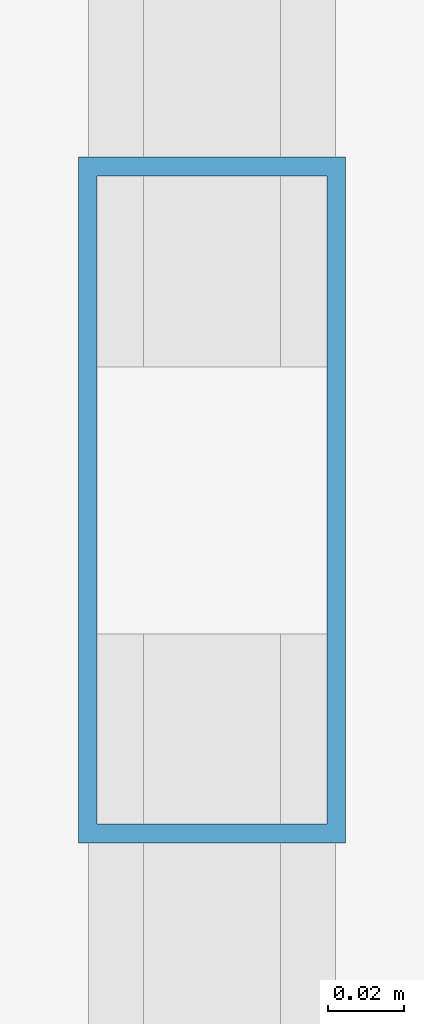
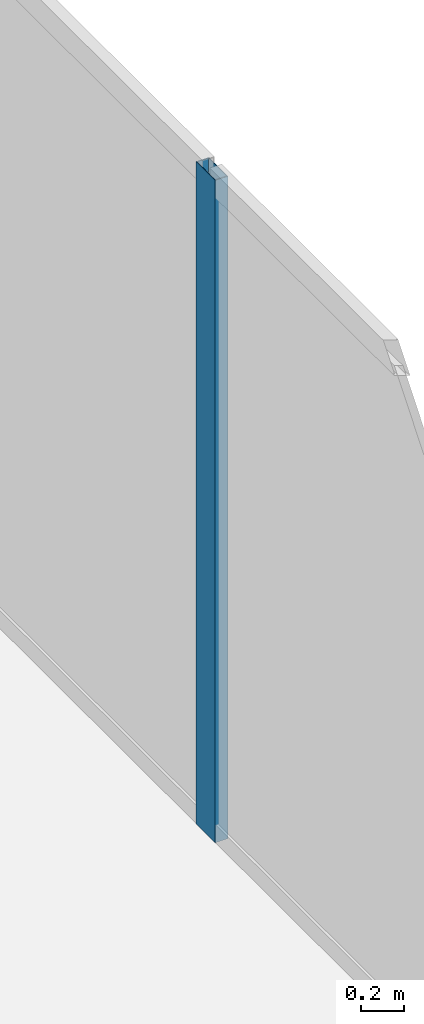
# One storey, part 24 of 33: 1 member, 1 element without a shape of its own.
"""IFC4 building model written with IfcOpenShell, lengths in metres."""

from ifc_helpers import new_model, si_unit, direction, frame, origin, origin_2d, place, context, subcontext, project, spatial, hollow_rectangle, extrude, source, transform, mapped, material, layer, layer_set, material_profile, profile_set, type_object, type_shapes, element, aggregate, save


model = new_model("IFC4")

# Units and contexts
model_context = context("Model", 3, precision=1e-05, world=origin(), true_north=direction((0.0, 1.0)))
body_context = subcontext(model_context, "Body", "Model", "MODEL_VIEW")
ifc_project = project(units=[si_unit("LENGTHUNIT", "METRE"), si_unit("AREAUNIT", "SQUARE_METRE"), si_unit("VOLUMEUNIT", "CUBIC_METRE"), si_unit("PLANEANGLEUNIT", "RADIAN"), si_unit("MASSUNIT", "GRAM", prefix="KILO")], contexts=[model_context])

# Site, building, storey
site_placement = place(None, origin())
site = spatial("IfcSite", under=ifc_project, at=site_placement, CompositionType="ELEMENT")
building_placement = place(site_placement, origin())
building = spatial("IfcBuilding", under=site, at=building_placement, Name="Haelvirn Gate Laboratories", CompositionType="ELEMENT")
storey_placement = place(building_placement, frame((0.0, 0.0, 209.60009765625)))
storey = spatial("IfcBuildingStorey", under=building, at=storey_placement, Name="L50", CompositionType="ELEMENT", Elevation=209.60009765625)

# Curtain wall, member
ifc_material_1 = material(Name="Anodised bronze unitised aluminium & triple low-E glass", Category="aluminium")
ifc_layer = layer(ifc_material_1, 0.176025390625, Name="CW-SYS-4")
ifc_layer_set = layer_set([ifc_layer], Name="Anodised bronze unitised aluminium & triple low-E glass")
curtain_wall_type = type_object("IfcCurtainWallType", Name="CW-SYS-4", PredefinedType="NOTDEFINED", material=ifc_layer_set)
curtain_wall_placement = place(storey_placement, origin())
curtain_wall = element("IfcCurtainWall", 1, at=curtain_wall_placement, inside=storey, type_object=curtain_wall_type, Name="L50 Unitised Curtain Wall CW-L50-P0-E07", PredefinedType="NOTDEFINED")
ifc_material_2 = material(Name="Extruded aluminium 6063-T6 (anodised bronze)", Category="aluminium")
ifc_material_profile = material_profile(ifc_material_2, hollow_rectangle(XDim=0.070068359375, YDim=0.179931640625, WallThickness=0.0048828125, at=origin_2d()), Name="CWM-180x70x5")
ifc_profile_set = profile_set([ifc_material_profile], Name="Extruded aluminium 6063-T6 (anodised bronze)")
member_type = type_object("IfcMemberType", Name="CWM-T180", PredefinedType="MULLION", material=ifc_profile_set)
shared_shape = source(origin(), body_context, "Body", "SweptSolid", [
    extrude(hollow_rectangle(XDim=0.070068359375, YDim=0.179931640625, WallThickness=0.0048828125, at=origin_2d()), origin(), (0.0, 0.0, 1.0), 3.7998046875),
])
type_shapes(member_type, [shared_shape])
member_placement = place(storey_placement, frame((70.699951171875, 24.300048828125, 0.0), z_axis=(0.0, 0.0, 1.0), x_axis=(-1.0, 0.0, 0.0)))
member = element("IfcMember", 2, at=member_placement, type_object=member_type, Name="CW4 mullion 2", PredefinedType="MULLION", context=body_context, shape_type="MappedRepresentation", body=[
    mapped(shared_shape, transform((0.0, 0.0, 0.0), scale=1.0)),
])
aggregate(curtain_wall, [member])

save(model, "model.ifc")
